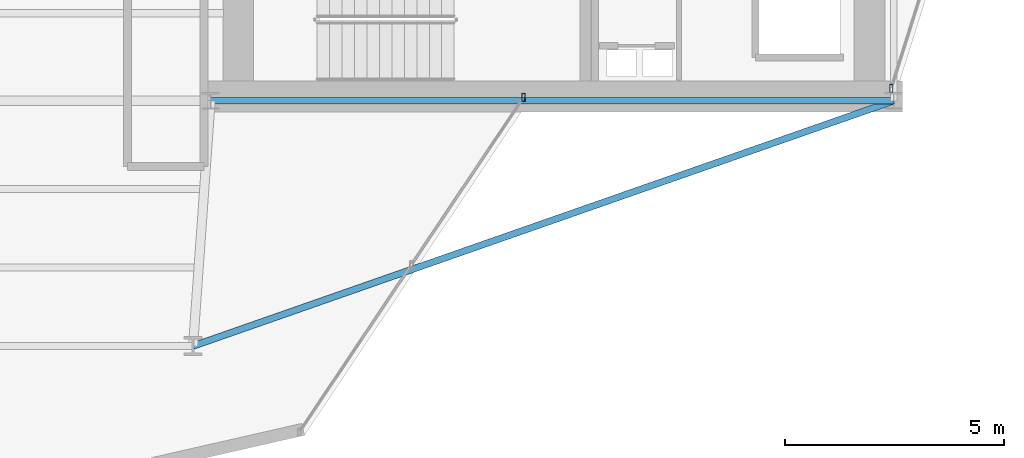
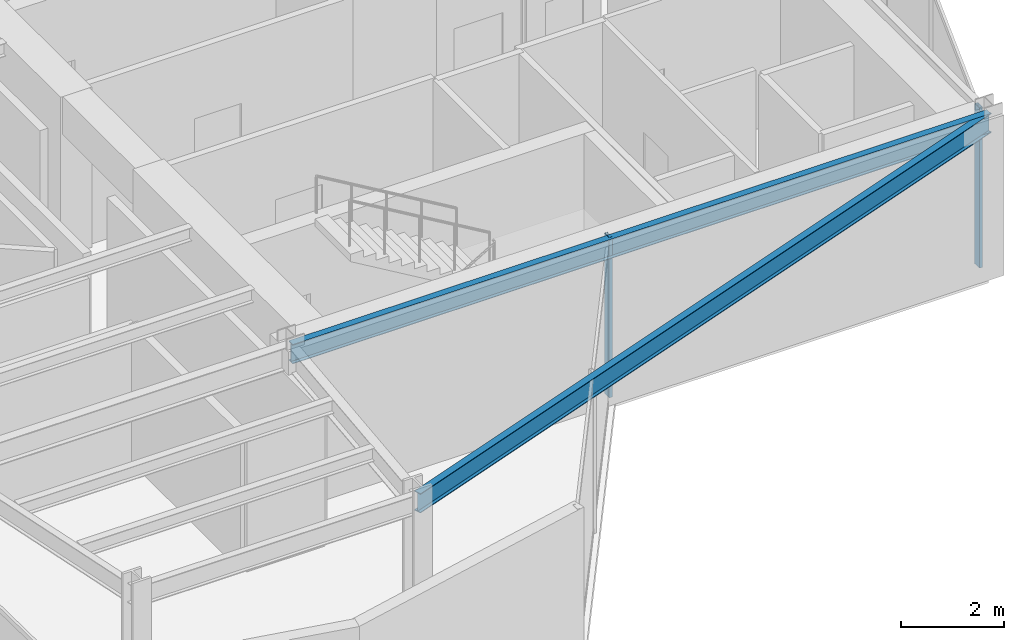
# One storey, part 14 of 22: 2 beams, 2 members, 2 elements without a shape of their own.
"""IFC4 building model written with IfcOpenShell, lengths in metres."""

import ifcopenshell
import ifcopenshell.guid

model = None  # the IFC model being written
_history = None  # IfcOwnerHistory: only IFC2X3 demands one
_inside = {}  # id of a spatial element -> (the spatial element, [elements in it])
_under = {}  # id of a project, library or spatial element -> (it, [spatial elements below it])
_declared = {}  # id of a project -> (the project, [libraries it declares])
_typed = {}  # id of a type object -> (the type object, [elements of that type])
_made_of = {}  # id of a material, layer set ... -> (it, [elements and type objects made of it])


def new_model(schema):
    """Start an empty IFC model of exactly this schema.

    Asked for "IFC4X3", IfcOpenShell would pick the latest addendum, in which some entities
    have other attributes; the version numbers below select the first issue.
    IFC2X3 requires an IfcOwnerHistory on every rooted entity: one is made here for all.
    """
    global model, _history
    if schema == "IFC4X3":
        model = ifcopenshell.file(schema_version=(4, 3, 0, 0))
    else:
        model = ifcopenshell.file(schema=schema)
    _inside.clear()
    _under.clear()
    _declared.clear()
    _typed.clear()
    _made_of.clear()
    _history = None
    if model.schema == "IFC2X3":
        org = make("IfcOrganization", Name="unknown")
        user = make(
            "IfcPersonAndOrganization",
            ThePerson=make("IfcPerson", FamilyName="unknown"),
            TheOrganization=org,
        )
        app = make(
            "IfcApplication",
            ApplicationDeveloper=org,
            Version="unknown",
            ApplicationFullName="unknown",
            ApplicationIdentifier="unknown",
        )
        _history = make(
            "IfcOwnerHistory",
            OwningUser=user,
            OwningApplication=app,
            ChangeAction="ADDED",
            CreationDate=0,
        )
    return model


def make(cls, **values):
    """One entity of the class cls with the attributes given. An attribute that is None is left unset."""
    return model.create_entity(
        cls, **{name: value for name, value in values.items() if value is not None}
    )


def rooted(cls, **values):
    """An entity with a GlobalId (a new one), such as an element, a storey or a relation."""
    return make(cls, GlobalId=ifcopenshell.guid.new(), OwnerHistory=_history, **values)


def si_unit(unit_type, name, prefix=None):
    """IfcSIUnit, for example si_unit("LENGTHUNIT", "METRE", prefix="MILLI")."""
    return make("IfcSIUnit", UnitType=unit_type, Prefix=prefix, Name=name)


def assignment(units):
    """IfcUnitAssignment: the units of a project."""
    return None if units is None else make("IfcUnitAssignment", Units=units)


def point(xyz):
    """IfcCartesianPoint."""
    return None if xyz is None else make("IfcCartesianPoint", Coordinates=xyz)


def direction(xyz):
    """IfcDirection."""
    return None if xyz is None else make("IfcDirection", DirectionRatios=xyz)


def frame(location, z_axis=None, x_axis=None):
    """IfcAxis2Placement3D, a coordinate frame: its origin and axes. An axis left out is left unset."""
    return make(
        "IfcAxis2Placement3D",
        Location=point(location),
        Axis=direction(z_axis),
        RefDirection=direction(x_axis),
    )


def frame_2d(location, x_axis=None):
    """IfcAxis2Placement2D, a coordinate frame in the plane: its origin and x axis."""
    return make(
        "IfcAxis2Placement2D", Location=point(location), RefDirection=direction(x_axis)
    )


def origin():
    """The frame at (0, 0, 0) with its axes left unset."""
    return frame((0.0, 0.0, 0.0))


def origin_2d():
    """The frame at (0, 0) in the plane with its x axis left unset."""
    return frame_2d((0.0, 0.0))


def place(relative_to, where):
    """IfcLocalPlacement: puts the frame where relative to a parent placement (None: the world)."""
    return make(
        "IfcLocalPlacement", PlacementRelTo=relative_to, RelativePlacement=where
    )


def context(
    kind, dimensions, precision=None, world=None, true_north=None, identifier=None
):
    """IfcGeometricRepresentationContext, for example the 3D "Model" context."""
    return make(
        "IfcGeometricRepresentationContext",
        ContextIdentifier=identifier,
        ContextType=kind,
        CoordinateSpaceDimension=dimensions,
        Precision=precision,
        WorldCoordinateSystem=world,
        TrueNorth=true_north,
    )


def subcontext(parent, identifier, kind, view, scale=None):
    """IfcGeometricRepresentationSubContext, for example "Body" below "Model"."""
    return make(
        "IfcGeometricRepresentationSubContext",
        ContextIdentifier=identifier,
        ContextType=kind,
        ParentContext=parent,
        TargetScale=scale,
        TargetView=view,
    )


def project(units=None, contexts=None):
    """IfcProject with its units and contexts."""
    return rooted(
        "IfcProject",
        Name="project",
        RepresentationContexts=contexts,
        UnitsInContext=assignment(units),
    )


def spatial(cls, under=None, at=None, **own):
    """A site, building, storey or space (cls), placed at a placement, below another one or the project."""
    s = rooted(cls, ObjectPlacement=at, **own)
    if under is not None:
        _under.setdefault(under.id(), (under, []))[1].append(s)
    return s


def profile(cls, at=None, kind="AREA", **sizes):
    """A parametric profile (cls). Its sizes go by their IFC names, for example OverallWidth=200.0."""
    return make(cls, ProfileType=kind, Position=at, **sizes)


def hollow_rectangle(**sizes):
    """IfcRectangleHollowProfileDef."""
    return profile("IfcRectangleHollowProfileDef", **sizes)


def i_section(**sizes):
    """IfcIShapeProfileDef."""
    return profile("IfcIShapeProfileDef", **sizes)


def extrude(swept, where, along, depth):
    """IfcExtrudedAreaSolid: the profile swept, set in the frame where, extruded along a direction by depth."""
    return make(
        "IfcExtrudedAreaSolid",
        SweptArea=swept,
        Position=where,
        ExtrudedDirection=direction(along),
        Depth=depth,
    )


def shape(context_of_items, identifier, shape_type, items):
    """IfcShapeRepresentation: the items that make up one representation, for example the "Body"."""
    return make(
        "IfcShapeRepresentation",
        ContextOfItems=context_of_items,
        RepresentationIdentifier=identifier,
        RepresentationType=shape_type,
        Items=items,
    )


def material(Name=None, Category=None):
    """IfcMaterial."""
    return make("IfcMaterial", Name=Name, Category=Category)


def layer(
    of_material, thickness, ventilated=None, Name=None, Category=None, Priority=None
):
    """IfcMaterialLayer: one layer of a wall or slab, of a material (None: an air gap)."""
    return make(
        "IfcMaterialLayer",
        Material=of_material,
        LayerThickness=thickness,
        IsVentilated=ventilated,
        Name=Name,
        Category=Category,
        Priority=Priority,
    )


def layer_set(layers, Name=None):
    """IfcMaterialLayerSet."""
    return make("IfcMaterialLayerSet", MaterialLayers=layers, LayerSetName=Name)


def material_profile(
    of_material, cross_section, Name=None, Category=None, Priority=None
):
    """IfcMaterialProfile: a cross section and its material."""
    return make(
        "IfcMaterialProfile",
        Name=Name,
        Material=of_material,
        Profile=cross_section,
        Priority=Priority,
        Category=Category,
    )


def profile_set(profiles, Name=None, composite=None):
    """IfcMaterialProfileSet."""
    return make(
        "IfcMaterialProfileSet",
        Name=Name,
        MaterialProfiles=profiles,
        CompositeProfile=composite,
    )


def made_of(thing, what):
    """Note that an element or type object is made of a material, layer set ...; save() writes the relation."""
    if what is not None:
        _made_of.setdefault(what.id(), (what, []))[1].append(thing)
    return thing


def type_object(cls, material=None, **own):
    """A type object (cls), such as IfcWallType, which elements share."""
    return made_of(rooted(cls, **own), material)


def element(
    cls,
    number,
    at=None,
    inside=None,
    cuts=None,
    type_object=None,
    material=None,
    context=None,
    identifier="Body",
    shape_type=None,
    held_by="IfcProductDefinitionShape",
    body=None,
    shapes=None,
    **own,
):
    """One element of the class cls, such as IfcWall. Its Tag is "e" and its number.

    at: its placement. inside: the storey or other place that contains it. cuts: it is an
    opening in that element (IfcRelVoidsElement). A single representation is given by context,
    identifier, shape_type and body (its items); several are given by shapes. held_by: the class
    of the entity that holds the representations. save() writes the other relations.
    """
    e = rooted(cls, Tag="e%d" % number, ObjectPlacement=at, **own)
    if body is not None:
        shapes = [shape(context, identifier, shape_type, body)]
    if shapes is not None:
        e.Representation = make(held_by, Representations=shapes)
    if inside is not None:
        _inside.setdefault(inside.id(), (inside, []))[1].append(e)
    if cuts is not None:
        rooted(
            "IfcRelVoidsElement", RelatingBuildingElement=cuts, RelatedOpeningElement=e
        )
    if type_object is not None:
        _typed.setdefault(type_object.id(), (type_object, []))[1].append(e)
    return made_of(e, material)


def aggregate(whole, parts):
    """IfcRelAggregates: a whole, such as a stair, and the parts it consists of."""
    return rooted("IfcRelAggregates", RelatingObject=whole, RelatedObjects=parts)


def save(model, path):
    """Write the relations noted so far, then the file.

    IfcRelAggregates (storeys below a building ...), IfcRelContainedInSpatialStructure (elements
    in a storey), IfcRelDefinesByType, IfcRelAssociatesMaterial and IfcRelDeclares: one each for
    every whole, place, type object, material and project.
    """
    for whole, parts in _under.values():
        aggregate(whole, parts)
    for where, things in _inside.values():
        rooted(
            "IfcRelContainedInSpatialStructure",
            RelatedElements=things,
            RelatingStructure=where,
        )
    for kind, things in _typed.values():
        rooted("IfcRelDefinesByType", RelatedObjects=things, RelatingType=kind)
    for what, things in _made_of.values():
        rooted("IfcRelAssociatesMaterial", RelatedObjects=things, RelatingMaterial=what)
    for by, libraries in _declared.values():
        rooted("IfcRelDeclares", RelatingContext=by, RelatedDefinitions=libraries)
    model.write(path)


model = new_model("IFC4")

# Units and contexts
model_context = context("Model", 3, precision=1e-05, world=origin(), true_north=direction((0.0, 1.0)))
body_context = subcontext(model_context, "Body", "Model", "MODEL_VIEW")
ifc_project = project(units=[si_unit("LENGTHUNIT", "METRE"), si_unit("AREAUNIT", "SQUARE_METRE"), si_unit("VOLUMEUNIT", "CUBIC_METRE"), si_unit("PLANEANGLEUNIT", "RADIAN"), si_unit("MASSUNIT", "GRAM", prefix="KILO")], contexts=[model_context])

# Site, building, storey
site_placement = place(None, origin())
site = spatial("IfcSite", under=ifc_project, at=site_placement, CompositionType="ELEMENT")
building_placement = place(site_placement, origin())
building = spatial("IfcBuilding", under=site, at=building_placement, Name="Veymaron Broadcast Tower", CompositionType="ELEMENT")
storey_placement = place(building_placement, frame((0.0, 0.0, 208.050048828125)))
storey = spatial("IfcBuildingStorey", under=building, at=storey_placement, Name="L48", CompositionType="ELEMENT", Elevation=208.050048828125)

# Beams
ifc_material_1 = material(Name="Structural steel ASTM A992 Gr 50", Category="steel")
ifc_material_profile_1 = material_profile(ifc_material_1, i_section(OverallWidth=0.154052734375, OverallDepth=0.458984375, WebThickness=0.009033203125, FlangeThickness=0.015380859375, at=origin_2d()), Name="W460X68")
ifc_profile_set_1 = profile_set([ifc_material_profile_1], Name="Structural steel ASTM A992 Gr 50")
beam_type = type_object("IfcBeamType", Name="BM-SP2", PredefinedType="SPANDREL", material=ifc_profile_set_1)
beam_1_placement = place(storey_placement, frame((39.0, 16.0, 3.560546875), z_axis=(1.0, 0.0, 0.0), x_axis=(0.0, 1.0, 0.0)))
element("IfcBeam", 1, at=beam_1_placement, inside=storey, type_object=beam_type, Name="L48 primary structural floor girder", PredefinedType="SPANDREL", context=body_context, shape_type="SweptSolid", body=[
    extrude(i_section(OverallWidth=0.154052734375, OverallDepth=0.458984375, WebThickness=0.009033203125, FlangeThickness=0.015380859375, at=origin_2d()), origin(), (0.0, 0.0, 1.0), 15.60009765625),
])
beam_2_placement = place(storey_placement, frame((54.60009765625, 16.0, 3.560546875), z_axis=(-0.943856560098, -0.330355556878, 0.0), x_axis=(0.330355556878, -0.943856560098, 0.0)))
element("IfcBeam", 2, at=beam_2_placement, inside=storey, type_object=beam_type, Name="L48 primary structural floor girder", PredefinedType="SPANDREL", context=body_context, shape_type="SweptSolid", body=[
    extrude(i_section(OverallWidth=0.154052734375, OverallDepth=0.458984375, WebThickness=0.009033203125, FlangeThickness=0.015380859375, at=origin_2d()), origin(), (0.0, 0.0, 1.0), 16.95166015625),
])

# Curtain wall, member
ifc_material_2 = material(Name="Anodised aluminium AA 6063-T6 and laminated low-E dark glass", Category="aluminium")
ifc_layer = layer(ifc_material_2, 0.179931640625)
ifc_layer_set = layer_set([ifc_layer], Name="Anodised aluminium AA 6063-T6 and laminated low-E dark glass")
curtain_wall_type = type_object("IfcCurtainWallType", Name="CW-SYS-05", PredefinedType="NOTDEFINED", material=ifc_layer_set)
curtain_wall_1_placement = place(storey_placement, origin())
curtain_wall_1 = element("IfcCurtainWall", 3, at=curtain_wall_1_placement, inside=storey, type_object=curtain_wall_type, Name="L48 dark-glass curtain wall CW-L48-E2-1", PredefinedType="NOTDEFINED")
ifc_material_3 = material(Name="Anodised aluminium AA 6063-T6", Category="aluminium")
ifc_material_profile_2 = material_profile(ifc_material_3, hollow_rectangle(XDim=0.074951171875, YDim=0.179931640625, WallThickness=0.0048828125, at=origin_2d()), Name="AL180X75X5")
ifc_profile_set_2 = profile_set([ifc_material_profile_2], Name="Anodised aluminium AA 6063-T6")
member_type = type_object("IfcMemberType", Name="CW-MUL-02", PredefinedType="MULLION", material=ifc_profile_set_2)
member_1_placement = place(storey_placement, frame((54.54345703125, 16.286376953125, 0.0), z_axis=(0.0, 0.0, 1.0), x_axis=(1.0, 0.0, 0.0)))
member_1 = element("IfcMember", 4, at=member_1_placement, type_object=member_type, Name="CW-L48-E2-1 mullion 0", PredefinedType="MULLION", context=body_context, shape_type="SweptSolid", body=[
    extrude(hollow_rectangle(XDim=0.074951171875, YDim=0.179931640625, WallThickness=0.0048828125, at=origin_2d()), origin(), (0.0, 0.0, 1.0), 3.7900390625),
])
aggregate(curtain_wall_1, [member_1])

curtain_wall_2_placement = place(storey_placement, origin())
curtain_wall_2 = element("IfcCurtainWall", 5, at=curtain_wall_2_placement, inside=storey, type_object=curtain_wall_type, Name="L48 dark-glass curtain wall CW-L48-E20-1", PredefinedType="NOTDEFINED")
member_2_placement = place(storey_placement, frame((46.147705078125, 16.077880859375, 0.0), z_axis=(0.0, 0.0, 1.0), x_axis=(1.0, 0.0, 0.0)))
member_2 = element("IfcMember", 6, at=member_2_placement, type_object=member_type, Name="CW-L48-E20-1 mullion 2", PredefinedType="MULLION", context=body_context, shape_type="SweptSolid", body=[
    extrude(hollow_rectangle(XDim=0.074951171875, YDim=0.179931640625, WallThickness=0.0048828125, at=origin_2d()), origin(), (0.0, 0.0, 1.0), 3.7900390625),
])
aggregate(curtain_wall_2, [member_2])

save(model, "model.ifc")
